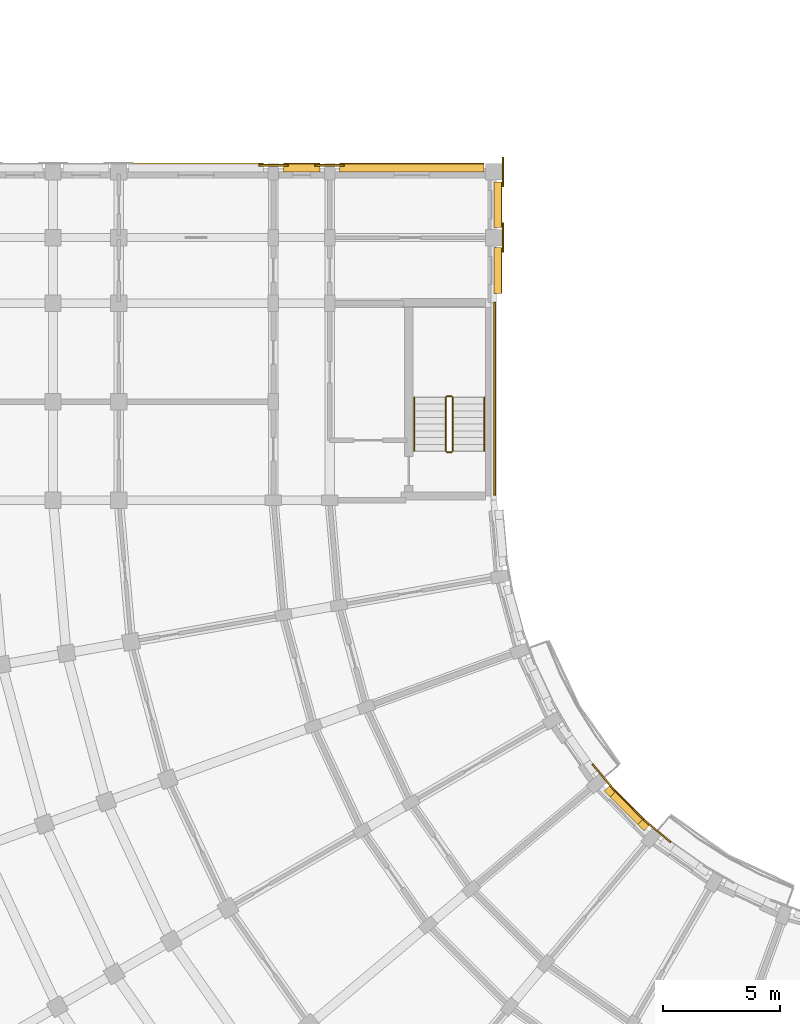
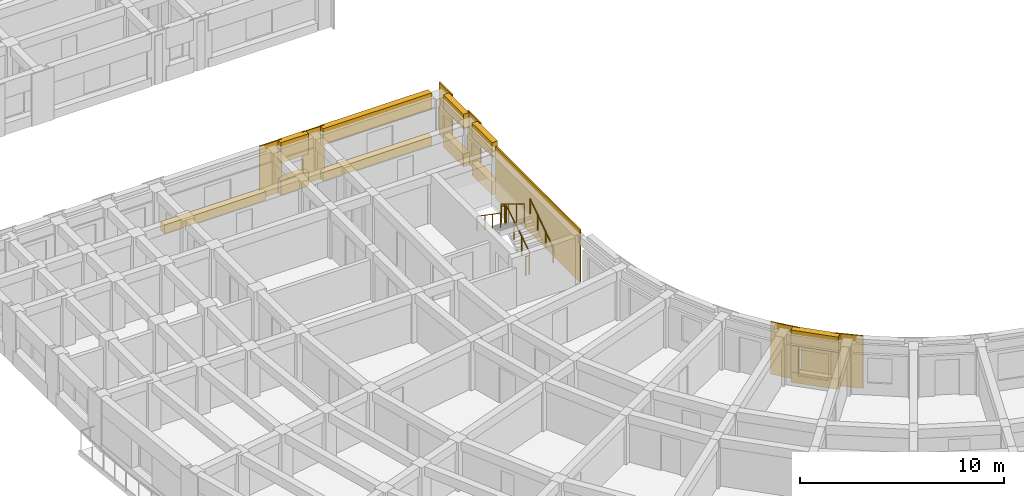
# One storey, part 44 of 57: 20 coverings, 6 railings, 1 shading device.
"""IFC4 building model written with IfcOpenShell, lengths in metres."""

from ifc_helpers import new_model, si_unit, direction, frame, origin, origin_2d, place, context, subcontext, project, spatial, polyline, rectangle, circle, outline, extrude, material, layer, layer_set, type_object, element, save


model = new_model("IFC4")

# Units and contexts
model_context = context("Model", 3, precision=1e-05, world=origin(), true_north=direction((0.0, 1.0)))
body_context = subcontext(model_context, "Body", "Model", "MODEL_VIEW")
ifc_project = project(units=[si_unit("LENGTHUNIT", "METRE"), si_unit("AREAUNIT", "SQUARE_METRE"), si_unit("VOLUMEUNIT", "CUBIC_METRE"), si_unit("PLANEANGLEUNIT", "RADIAN"), si_unit("MASSUNIT", "GRAM", prefix="KILO")], contexts=[model_context])

# Site, building, storey
site_placement = place(None, origin())
site = spatial("IfcSite", under=ifc_project, at=site_placement, CompositionType="ELEMENT")
building_placement = place(site_placement, origin())
building = spatial("IfcBuilding", under=site, at=building_placement, Name="Kiranvali Square Residences", CompositionType="ELEMENT")
storey_placement = place(building_placement, frame((0.0, 0.0, 18.14990234375)))
storey = spatial("IfcBuildingStorey", under=building, at=storey_placement, Name="L05", CompositionType="ELEMENT", Elevation=18.14990234375)

# Coverings
ifc_material_1 = material(Name="Honed Porbandar limestone ashlar facade cladding", Category="masonry")
ifc_layer_1 = layer(ifc_material_1, 0.3798828125)
ifc_layer_set_1 = layer_set([ifc_layer_1], Name="Honed Porbandar limestone ashlar facade cladding")
covering_type_1 = type_object("IfcCoveringType", Name="COV-CLAD-JAMB", PredefinedType="CLADDING", material=ifc_layer_set_1)
covering_1_placement = place(storey_placement, frame((0.0, 0.0, 0.6220703125)))
element("IfcCovering", 1, at=covering_1_placement, inside=storey, type_object=covering_type_1, Name="L05 deep limestone window jamb reveal C-L05-GDN-04.L", PredefinedType="CLADDING", context=body_context, shape_type="SweptSolid", body=[
    extrude(outline(polyline([(36.044921875, 34.349853515625), (35.78076171875, 34.614013671875), (35.540771484375, 34.3740234375), (35.804931640625, 34.10986328125), (36.044921875, 34.349853515625)])), origin(), (0.0, 0.0, 1.0), 1.60009765625),
])
covering_2_placement = place(storey_placement, frame((0.0, 0.0, 0.6220703125)))
element("IfcCovering", 2, at=covering_2_placement, inside=storey, type_object=covering_type_1, Name="L05 deep limestone window jamb reveal C-L05-GDN-04.R", PredefinedType="CLADDING", context=body_context, shape_type="SweptSolid", body=[
    extrude(outline(polyline([(34.614013671875, 35.78076171875), (34.349853515625, 36.044921875), (34.10986328125, 35.804931640625), (34.3740234375, 35.540771484375), (34.614013671875, 35.78076171875)])), origin(), (0.0, 0.0, 1.0), 1.60009765625),
])
ifc_layer_2 = layer(ifc_material_1, 0.06494140625)
ifc_layer_set_2 = layer_set([ifc_layer_2], Name="Honed Porbandar limestone ashlar facade cladding")
covering_type_2 = type_object("IfcCoveringType", Name="COV-CLAD-PIER", PredefinedType="CLADDING", material=ifc_layer_set_2)
covering_3_placement = place(storey_placement, frame((0.0, 0.0, 0.005126953125)))
element("IfcCovering", 3, at=covering_3_placement, inside=storey, type_object=covering_type_2, Name="Block C L05 Arm 2 stair limestone ashlar cladding", PredefinedType="CLADDING", context=body_context, shape_type="SweptSolid", body=[
    extrude(outline(polyline([(29.47998046875, 48.39990234375), (29.47998046875, 56.64990234375), (29.402099609375, 56.64990234375), (29.402099609375, 48.39990234375), (29.47998046875, 48.39990234375)])), origin(), (0.0, 0.0, 1.0), 3.139892578125),
])
ifc_layer_3 = layer(ifc_material_1, 0.050048828125)
ifc_layer_set_3 = layer_set([ifc_layer_3], Name="Honed Porbandar limestone ashlar facade cladding")
covering_type_3 = type_object("IfcCoveringType", Name="COV-CLAD-PIER-IN", PredefinedType="CLADDING", material=ifc_layer_set_3)
covering_4_placement = place(storey_placement, frame((0.0, 0.0, 0.005126953125)))
element("IfcCovering", 4, at=covering_4_placement, inside=storey, type_object=covering_type_3, Name="L05 Classical garden courtyard pilaster CLAD-PRIN-C-L05-A04", PredefinedType="CLADDING", context=body_context, shape_type="SweptSolid", body=[
    extrude(outline(polyline([(36.958740234375, 33.636474609375), (35.809814453125, 34.6005859375), (35.766357421875, 34.548828125), (36.91552734375, 33.584716796875), (36.958740234375, 33.636474609375)])), origin(), (0.0, 0.0, 1.0), 3.139892578125),
])
covering_5_placement = place(storey_placement, frame((0.0, 0.0, 0.005126953125)))
element("IfcCovering", 5, at=covering_5_placement, inside=storey, type_object=covering_type_3, Name="L05 Classical garden courtyard pilaster CLAD-PRIN-C-L05-A05", PredefinedType="CLADDING", context=body_context, shape_type="SweptSolid", body=[
    extrude(outline(polyline([(34.6005859375, 35.809814453125), (33.636474609375, 36.958740234375), (33.584716796875, 36.91552734375), (34.548828125, 35.766357421875), (34.6005859375, 35.809814453125)])), origin(), (0.0, 0.0, 1.0), 3.139892578125),
])
covering_6_placement = place(storey_placement, frame((0.0, 0.0, 0.005126953125)))
element("IfcCovering", 6, at=covering_6_placement, inside=storey, type_object=covering_type_3, Name="L05 Classical limestone pilaster casing CLAD-PRA2I-C-L05-V112", PredefinedType="CLADDING", context=body_context, shape_type="SweptSolid", body=[
    extrude(outline(polyline([(29.818115234375, 58.77001953125), (29.818115234375, 60.030029296875), (29.75048828125, 60.030029296875), (29.75048828125, 58.77001953125), (29.818115234375, 58.77001953125)])), origin(), (0.0, 0.0, 1.0), 3.139892578125),
])
covering_7_placement = place(storey_placement, frame((0.0, 0.0, 0.005126953125)))
element("IfcCovering", 7, at=covering_7_placement, inside=storey, type_object=covering_type_3, Name="L05 Classical limestone pilaster casing CLAD-PRA2I-C-L05-V140", PredefinedType="CLADDING", context=body_context, shape_type="SweptSolid", body=[
    extrude(outline(polyline([(29.818115234375, 61.570068359375), (29.818115234375, 62.830078125), (29.75048828125, 62.830078125), (29.75048828125, 61.570068359375), (29.818115234375, 61.570068359375)])), origin(), (0.0, 0.0, 1.0), 3.139892578125),
])
ifc_layer_4 = layer(ifc_material_1, 0.054931640625)
ifc_layer_set_4 = layer_set([ifc_layer_4], Name="Honed Porbandar limestone ashlar facade cladding")
covering_type_4 = type_object("IfcCoveringType", Name="COV-CLAD-PIER-UP", PredefinedType="CLADDING", material=ifc_layer_set_4)
covering_8_placement = place(storey_placement, frame((0.0, 0.0, 0.005126953125)))
element("IfcCovering", 8, at=covering_8_placement, inside=storey, type_object=covering_type_4, Name="L05 Classical limestone pilaster casing CLAD-PRA2E-C-L05-R258", PredefinedType="CLADDING", context=body_context, shape_type="SweptSolid", body=[
    extrude(outline(polyline([(23.030029296875, 62.51806640625), (21.77001953125, 62.51806640625), (21.77001953125, 62.450439453125), (23.030029296875, 62.450439453125), (23.030029296875, 62.51806640625)])), origin(), (0.0, 0.0, 1.0), 3.139892578125),
])
covering_9_placement = place(storey_placement, frame((0.0, 0.0, 0.005126953125)))
element("IfcCovering", 9, at=covering_9_placement, inside=storey, type_object=covering_type_4, Name="L05 Classical limestone pilaster casing CLAD-PRA2E-C-L05-R282", PredefinedType="CLADDING", context=body_context, shape_type="SweptSolid", body=[
    extrude(outline(polyline([(20.6298828125, 62.51806640625), (19.3701171875, 62.51806640625), (19.3701171875, 62.450439453125), (20.6298828125, 62.450439453125), (20.6298828125, 62.51806640625)])), origin(), (0.0, 0.0, 1.0), 3.139892578125),
])
ifc_layer_5 = layer(ifc_material_1, 0.360107421875)
ifc_layer_set_5 = layer_set([ifc_layer_5], Name="Honed Porbandar limestone ashlar facade cladding")
covering_type_5 = type_object("IfcCoveringType", Name="COV-CLAD-WALL", PredefinedType="CLADDING", material=ifc_layer_set_5)
covering_10_placement = place(storey_placement, frame((0.0, 0.0, 2.22216796875)))
element("IfcCovering", 10, at=covering_10_placement, inside=storey, type_object=covering_type_5, Name="L05 light limestone spandrel lintel C-L05-GDN-04", PredefinedType="CLADDING", context=body_context, shape_type="SweptSolid", body=[
    extrude(outline(polyline([(36.044921875, 34.349853515625), (34.349853515625, 36.044921875), (34.10986328125, 35.804931640625), (35.804931640625, 34.10986328125), (36.044921875, 34.349853515625)])), origin(), (0.0, 0.0, 1.0), 0.9228515625),
])
covering_11_placement = place(storey_placement, frame((0.0, 0.0, 2.272216796875)))
element("IfcCovering", 11, at=covering_11_placement, inside=storey, type_object=covering_type_5, Name="L05 light limestone spandrel lintel C-L05-A2I-0", PredefinedType="CLADDING", context=body_context, shape_type="SweptSolid", body=[
    extrude(outline(polyline([(29.719970703125, 57.02001953125), (29.719970703125, 58.97998046875), (29.400390625, 58.97998046875), (29.400390625, 57.02001953125), (29.719970703125, 57.02001953125)])), origin(), (0.0, 0.0, 1.0), 0.872802734375),
])
covering_12_placement = place(storey_placement, frame((0.0, 0.0, 0.005126953125)))
element("IfcCovering", 12, at=covering_12_placement, inside=storey, type_object=covering_type_5, Name="L05 limestone window sill apron C-L05-A2I-0", PredefinedType="CLADDING", context=body_context, shape_type="SweptSolid", body=[
    extrude(outline(polyline([(29.75, 57.02001953125), (29.75, 58.97998046875), (29.400390625, 58.97998046875), (29.400390625, 57.02001953125), (29.75, 57.02001953125)])), origin(), (0.0, 0.0, 1.0), 0.76708984375),
])
covering_13_placement = place(storey_placement, frame((0.0, 0.0, 2.272216796875)))
element("IfcCovering", 13, at=covering_13_placement, inside=storey, type_object=covering_type_5, Name="L05 light limestone spandrel lintel C-L05-A2I-1", PredefinedType="CLADDING", context=body_context, shape_type="SweptSolid", body=[
    extrude(outline(polyline([(29.719970703125, 59.820068359375), (29.719970703125, 61.780029296875), (29.400390625, 61.780029296875), (29.400390625, 59.820068359375), (29.719970703125, 59.820068359375)])), origin(), (0.0, 0.0, 1.0), 0.872802734375),
])
covering_14_placement = place(storey_placement, frame((0.0, 0.0, 0.005126953125)))
element("IfcCovering", 14, at=covering_14_placement, inside=storey, type_object=covering_type_5, Name="L05 limestone window sill apron C-L05-A2I-1", PredefinedType="CLADDING", context=body_context, shape_type="SweptSolid", body=[
    extrude(outline(polyline([(29.75, 59.820068359375), (29.75, 61.780029296875), (29.400390625, 61.780029296875), (29.400390625, 59.820068359375), (29.75, 59.820068359375)])), origin(), (0.0, 0.0, 1.0), 0.76708984375),
])
covering_15_placement = place(storey_placement, frame((0.0, 0.0, 2.172119140625)))
element("IfcCovering", 15, at=covering_15_placement, inside=storey, type_object=covering_type_5, Name="L05 light limestone spandrel lintel C-L05-A2END-0", PredefinedType="CLADDING", context=body_context, shape_type="SweptSolid", body=[
    extrude(outline(polyline([(28.97998046875, 62.5400390625), (22.820068359375, 62.5400390625), (22.820068359375, 62.200439453125), (28.97998046875, 62.200439453125), (28.97998046875, 62.5400390625)])), origin(), (0.0, 0.0, 1.0), 0.972900390625),
])
covering_16_placement = place(storey_placement, frame((0.0, 0.0, 0.005126953125)))
element("IfcCovering", 16, at=covering_16_placement, inside=storey, type_object=covering_type_5, Name="L05 limestone window sill apron C-L05-A2END-0", PredefinedType="CLADDING", context=body_context, shape_type="SweptSolid", body=[
    extrude(outline(polyline([(28.97998046875, 62.570068359375), (22.820068359375, 62.570068359375), (22.820068359375, 62.200439453125), (28.97998046875, 62.200439453125), (28.97998046875, 62.570068359375)])), origin(), (0.0, 0.0, 1.0), 0.51708984375),
])
covering_17_placement = place(storey_placement, frame((0.0, 0.0, 1.93017578125)))
element("IfcCovering", 17, at=covering_17_placement, inside=storey, type_object=covering_type_5, Name="L05 light limestone spandrel lintel C-L05-A2END-1", PredefinedType="CLADDING", context=body_context, shape_type="SweptSolid", body=[
    extrude(outline(polyline([(21.97998046875, 62.5400390625), (20.419921875, 62.5400390625), (20.419921875, 62.200439453125), (21.97998046875, 62.200439453125), (21.97998046875, 62.5400390625)])), origin(), (0.0, 0.0, 1.0), 1.21484375),
])
covering_18_placement = place(storey_placement, frame((0.0, 0.0, 0.005126953125)))
element("IfcCovering", 18, at=covering_18_placement, inside=storey, type_object=covering_type_5, Name="L05 limestone window sill apron C-L05-A2END-1", PredefinedType="CLADDING", context=body_context, shape_type="SweptSolid", body=[
    extrude(outline(polyline([(21.97998046875, 62.570068359375), (20.419921875, 62.570068359375), (20.419921875, 62.200439453125), (21.97998046875, 62.200439453125), (21.97998046875, 62.570068359375)])), origin(), (0.0, 0.0, 1.0), 0.875),
])
covering_19_placement = place(storey_placement, frame((0.0, 0.0, 0.005126953125)))
element("IfcCovering", 19, at=covering_19_placement, inside=storey, type_object=covering_type_5, Name="L05 limestone window sill apron C-L05-A2END-2", PredefinedType="CLADDING", context=body_context, shape_type="SweptSolid", body=[
    extrude(outline(polyline([(19.580078125, 62.570068359375), (13.820068359375, 62.570068359375), (13.820068359375, 62.200439453125), (19.580078125, 62.200439453125), (19.580078125, 62.570068359375)])), origin(), (0.0, 0.0, 1.0), 0.51708984375),
])
ifc_layer_6 = layer(ifc_material_1, 0.2900390625)
ifc_layer_set_6 = layer_set([ifc_layer_6], Name="Honed Porbandar limestone ashlar facade cladding")
covering_type_6 = type_object("IfcCoveringType", Name="COV-CLAD-WALL-IN", PredefinedType="CLADDING", material=ifc_layer_set_6)
covering_20_placement = place(storey_placement, frame((0.0, 0.0, 0.005126953125)))
element("IfcCovering", 20, at=covering_20_placement, inside=storey, type_object=covering_type_6, Name="L05 limestone window sill apron C-L05-GDN-04", PredefinedType="CLADDING", context=body_context, shape_type="SweptSolid", body=[
    extrude(outline(polyline([(36.066162109375, 34.37109375), (34.37109375, 36.066162109375), (34.10986328125, 35.804931640625), (35.804931640625, 34.10986328125), (36.066162109375, 34.37109375)])), origin(), (0.0, 0.0, 1.0), 0.616943359375),
])

# Railings
ifc_material_2 = material(Name="Brushed stainless steel tubular handrail", Category="steel")
railing_type_1 = type_object("IfcRailingType", Name="RL-HANDRAIL-900", PredefinedType="HANDRAIL", material=ifc_material_2)
railing_1_placement = place(storey_placement, frame((29.0, 50.300048828125, 0.175048828125)))
element("IfcRailing", 21, at=railing_1_placement, inside=storey, type_object=railing_type_1, Name="L05 ST-C3 stair handrail 1", PredefinedType="HANDRAIL", context=body_context, shape_type="SweptSolid", body=[
    extrude(circle(Radius=0.02392578125, at=origin_2d()), frame((0.0, 0.0, 0.8759765625), z_axis=(0.0, 0.82278801735, 0.568348377763), x_axis=(-1.0, 0.0, 0.0)), (0.0, 0.0, 1.0), 2.77099609375),
    extrude(circle(Radius=0.02099609375, at=origin_2d()), origin(), (0.0, 0.0, 1.0), 0.851806640625),
    extrude(circle(Radius=0.02099609375, at=origin_2d()), frame((0.0, 0.760009765625, 0.52490234375)), (0.0, 0.0, 1.0), 0.851806640625),
    extrude(circle(Radius=0.02099609375, at=origin_2d()), frame((0.0, 1.52001953125, 1.050048828125)), (0.0, 0.0, 1.0), 0.851806640625),
    extrude(circle(Radius=0.02099609375, at=origin_2d()), frame((0.0, 2.280029296875, 1.574951171875)), (0.0, 0.0, 1.0), 0.851806640625),
])
railing_2_placement = place(storey_placement, frame((26.0, 52.580078125, 1.75)))
element("IfcRailing", 22, at=railing_2_placement, inside=storey, type_object=railing_type_1, Name="L05 ST-C3 stair handrail 2", PredefinedType="HANDRAIL", context=body_context, shape_type="SweptSolid", body=[
    extrude(circle(Radius=0.02392578125, at=origin_2d()), frame((0.0, 0.0, 0.8759765625), z_axis=(0.0, -0.82274681792, 0.568408016835), x_axis=(1.0, 0.0, 0.0)), (0.0, 0.0, 1.0), 2.771240234375),
    extrude(circle(Radius=0.02099609375, at=origin_2d()), origin(), (0.0, 0.0, 1.0), 0.851806640625),
    extrude(circle(Radius=0.02099609375, at=origin_2d()), frame((0.0, -0.760009765625, 0.525146484375)), (0.0, 0.0, 1.0), 0.851806640625),
    extrude(circle(Radius=0.02099609375, at=origin_2d()), frame((0.0, -1.52001953125, 1.050048828125)), (0.0, 0.0, 1.0), 0.851806640625),
    extrude(circle(Radius=0.02099609375, at=origin_2d()), frame((0.0, -2.280029296875, 1.5751953125)), (0.0, 0.0, 1.0), 0.851806640625),
])
ifc_material_3 = material(Name="Powder-coated architectural bronze balustrade", Category="steel")
railing_type_2 = type_object("IfcRailingType", Name="RL-ST-GUARD-1200", PredefinedType="GUARDRAIL", material=ifc_material_3)
railing_3_placement = place(storey_placement, frame((27.64990234375, 50.300048828125, 0.175048828125)))
element("IfcRailing", 23, at=railing_3_placement, inside=storey, type_object=railing_type_2, Name="L05 ST-C3 stair guard 1", PredefinedType="GUARDRAIL", context=body_context, shape_type="SweptSolid", body=[
    extrude(circle(Radius=0.02392578125, at=origin_2d()), frame((0.0, 0.0, 1.1259765625), z_axis=(0.0, 0.852149810458, 0.523297908018), x_axis=(-1.0, 0.0, 0.0)), (0.0, 0.0, 1.0), 2.675537109375),
    extrude(circle(Radius=0.02099609375, at=origin_2d()), origin(), (0.0, 0.0, 1.0), 1.101806640625),
    extrude(circle(Radius=0.02099609375, at=origin_2d()), frame((0.0, 0.760009765625, 0.466796875)), (0.0, 0.0, 1.0), 1.101806640625),
    extrude(circle(Radius=0.02099609375, at=origin_2d()), frame((0.0, 1.52001953125, 0.933349609375)), (0.0, 0.0, 1.0), 1.101806640625),
    extrude(circle(Radius=0.02099609375, at=origin_2d()), frame((0.0, 2.280029296875, 1.400146484375)), (0.0, 0.0, 1.0), 1.101806640625),
])
railing_4_placement = place(storey_placement, frame((27.60009765625, 52.6298828125, 1.5751953125)))
element("IfcRailing", 24, at=railing_4_placement, inside=storey, type_object=railing_type_2, Name="L05 ST-C3 stair guard 2", PredefinedType="GUARDRAIL", context=body_context, shape_type="SweptSolid", body=[
    extrude(circle(Radius=0.02392578125, at=origin_2d()), frame((0.0, 0.0, 1.1259765625), z_axis=(-1.0, 0.0, 0.0), x_axis=(0.0, -1.0, 0.0)), (0.0, 0.0, 1.0), 0.2001953125),
    extrude(circle(Radius=0.02099609375, at=origin_2d()), origin(), (0.0, 0.0, 1.0), 1.101806640625),
    extrude(circle(Radius=0.02099609375, at=origin_2d()), frame((-0.2001953125, 0.0, 0.0)), (0.0, 0.0, 1.0), 1.101806640625),
])
railing_5_placement = place(storey_placement, frame((27.35009765625, 52.580078125, 1.75)))
element("IfcRailing", 25, at=railing_5_placement, inside=storey, type_object=railing_type_2, Name="L05 ST-C3 stair guard 3", PredefinedType="GUARDRAIL", context=body_context, shape_type="SweptSolid", body=[
    extrude(circle(Radius=0.02392578125, at=origin_2d()), frame((0.0, 0.0, 1.1259765625), z_axis=(0.0, -0.852149810458, 0.523297908018), x_axis=(1.0, 0.0, 0.0)), (0.0, 0.0, 1.0), 2.675537109375),
    extrude(circle(Radius=0.02099609375, at=origin_2d()), origin(), (0.0, 0.0, 1.0), 1.101806640625),
    extrude(circle(Radius=0.02099609375, at=origin_2d()), frame((0.0, -0.760009765625, 0.466796875)), (0.0, 0.0, 1.0), 1.101806640625),
    extrude(circle(Radius=0.02099609375, at=origin_2d()), frame((0.0, -1.52001953125, 0.933349609375)), (0.0, 0.0, 1.0), 1.101806640625),
    extrude(circle(Radius=0.02099609375, at=origin_2d()), frame((0.0, -2.280029296875, 1.400146484375)), (0.0, 0.0, 1.0), 1.101806640625),
])
railing_6_placement = place(storey_placement, frame((27.60009765625, 50.25, 0.0)))
element("IfcRailing", 26, at=railing_6_placement, inside=storey, type_object=railing_type_2, Name="L05 ST-C3 stair guard 4", PredefinedType="GUARDRAIL", context=body_context, shape_type="SweptSolid", body=[
    extrude(circle(Radius=0.02392578125, at=origin_2d()), frame((0.0, 0.0, 1.1259765625), z_axis=(-1.0, 0.0, 0.0), x_axis=(0.0, -1.0, 0.0)), (0.0, 0.0, 1.0), 0.2001953125),
    extrude(circle(Radius=0.02099609375, at=origin_2d()), origin(), (0.0, 0.0, 1.0), 1.101806640625),
    extrude(circle(Radius=0.02099609375, at=origin_2d()), frame((-0.2001953125, 0.0, 0.0)), (0.0, 0.0, 1.0), 1.101806640625),
])

# Shading device
ifc_material_4 = material(Name="Pierced buff sandstone architectural mashrabiya solar screen", Category="masonry")
shading_device_type = type_object("IfcShadingDeviceType", Name="SHD-JALI-1600", PredefinedType="JALOUSIE", material=ifc_material_4)
shading_device_placement = place(storey_placement, frame((35.183349609375, 35.183349609375, 0.6220703125), z_axis=(0.0, 0.0, 1.0), x_axis=(-0.707106781187, 0.707106781187, 0.0)))
element("IfcShadingDevice", 27, at=shading_device_placement, inside=storey, type_object=shading_device_type, Name="L05 carved stone Mashrabiya screen C-L05-GDN-04", PredefinedType="JALOUSIE", context=body_context, shape_type="SweptSolid", body=[
    extrude(rectangle(XDim=1.550048828125, YDim=0.044921875, at=origin_2d()), origin(), (0.0, 0.0, 1.0), 1.60009765625),
])

save(model, "model.ifc")
